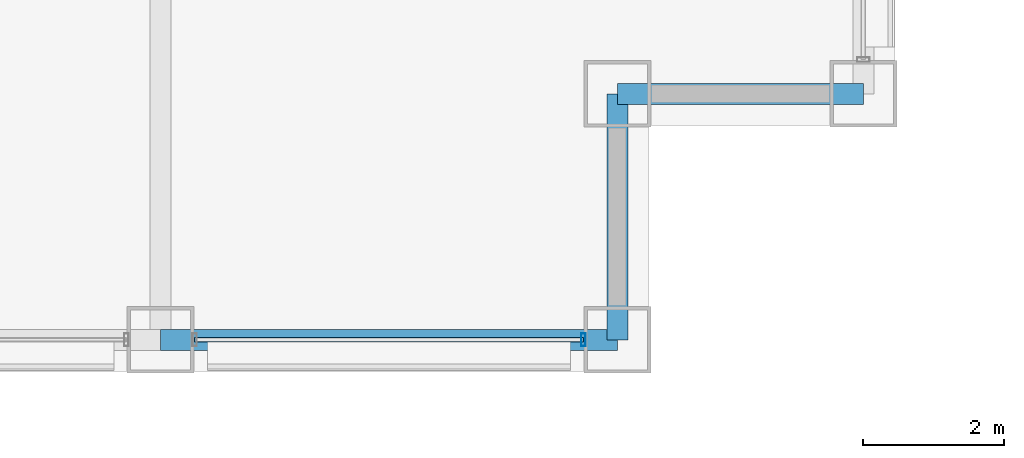
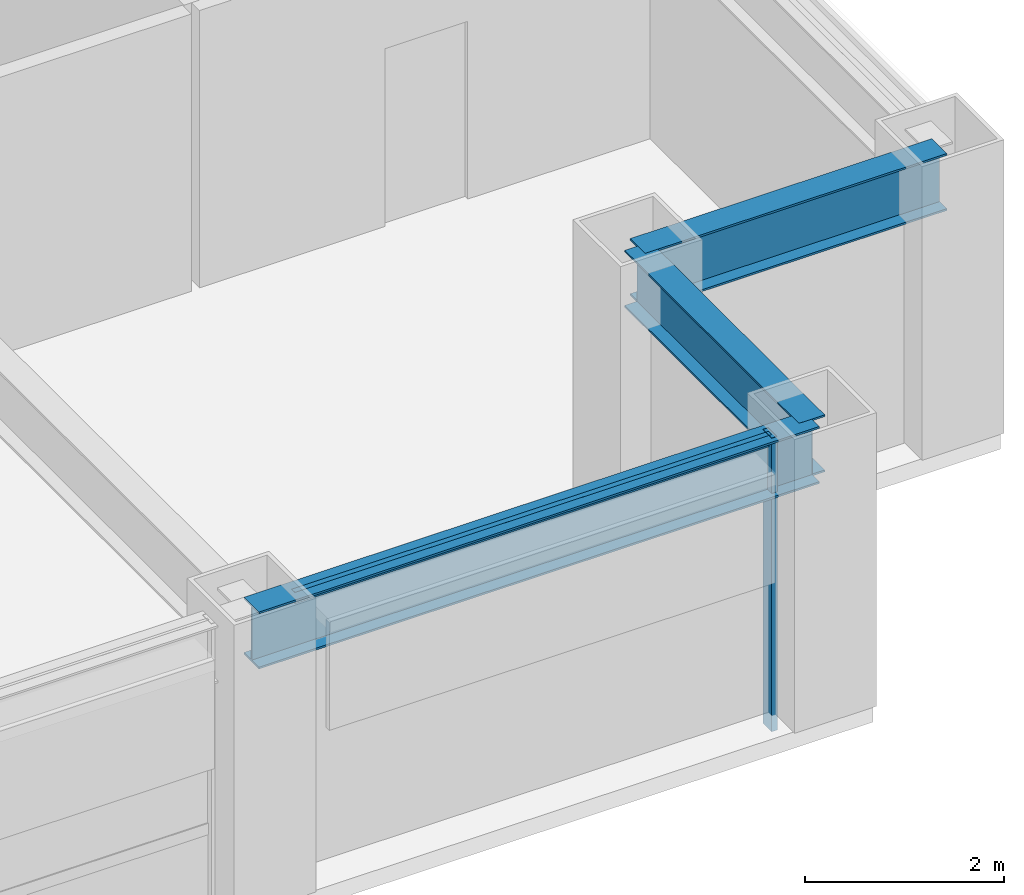
# One storey, part 10 of 28: 3 beams, 2 members, 1 element without a shape of its own.
"""IFC4 building model written with IfcOpenShell, lengths in metres."""

from ifc_helpers import new_model, si_unit, direction, frame, origin, origin_2d, place, context, subcontext, project, spatial, hollow_rectangle, i_section, extrude, material, layer, layer_set, material_profile, profile_set, type_object, element, aggregate, save


model = new_model("IFC4")

# Units and contexts
model_context = context("Model", 3, precision=1e-05, world=origin(), true_north=direction((0.0, 1.0)))
body_context = subcontext(model_context, "Body", "Model", "MODEL_VIEW")
ifc_project = project(units=[si_unit("LENGTHUNIT", "METRE"), si_unit("AREAUNIT", "SQUARE_METRE"), si_unit("VOLUMEUNIT", "CUBIC_METRE"), si_unit("PLANEANGLEUNIT", "RADIAN"), si_unit("MASSUNIT", "GRAM", prefix="KILO")], contexts=[model_context])

# Site, building, storey
site_placement = place(None, origin())
site = spatial("IfcSite", under=ifc_project, at=site_placement, CompositionType="ELEMENT")
building_placement = place(site_placement, origin())
building = spatial("IfcBuilding", under=site, at=building_placement, Name="Brelmoor Portico Tower", CompositionType="ELEMENT")
storey_placement = place(building_placement, frame((0.0, 0.0, 49.199951171875)))
storey = spatial("IfcBuildingStorey", under=building, at=storey_placement, Name="L12", CompositionType="ELEMENT", Elevation=49.199951171875)

# Beams
ifc_material_1 = material(Name="Steel Q355B", Category="steel")
ifc_material_profile_1 = material_profile(ifc_material_1, i_section(OverallWidth=0.300048828125, OverallDepth=0.699951171875, WebThickness=0.012939453125, FlangeThickness=0.02392578125, at=origin_2d()), Name="HN 700x300x13x24")
ifc_profile_set_1 = profile_set([ifc_material_profile_1], Name="Steel Q355B")
beam_type = type_object("IfcBeamType", Name="BM-SP-700", PredefinedType="SPANDREL", material=ifc_profile_set_1)
beam_placement = place(storey_placement, frame((14.550048828125, -21.550048828125, 3.050048828125), z_axis=(1.0, 0.0, 0.0), x_axis=(0.0, 1.0, 0.0)))
element("IfcBeam", 1, at=beam_placement, inside=storey, type_object=beam_type, Name="L12 Perimeter Spandrel Beam SP-05", PredefinedType="SPANDREL", context=body_context, shape_type="SweptSolid", body=[
    extrude(i_section(OverallWidth=0.300048828125, OverallDepth=0.699951171875, WebThickness=0.012939453125, FlangeThickness=0.02392578125, at=origin_2d()), origin(), (0.0, 0.0, 1.0), 6.5),
])
for number, where, z_axis, x_axis, name in (
    (2, (21.050048828125, -18.050048828125, 3.050048828125), (1.0, 0.0, 0.0), (0.0, 1.0, 0.0), "L12 Perimeter Spandrel Beam SP-07"),
    (3, (21.050048828125, -21.550048828125, 3.050048828125), (0.0, 1.0, 0.0), (-1.0, 0.0, 0.0), "L12 Perimeter Spandrel Beam SP-20"),
):
    element("IfcBeam", number, at=place(storey_placement, frame(where, z_axis=z_axis, x_axis=x_axis)), inside=storey, type_object=beam_type, Name=name, PredefinedType="SPANDREL", context=body_context, shape_type="SweptSolid", body=[
        extrude(i_section(OverallWidth=0.300048828125, OverallDepth=0.699951171875, WebThickness=0.012939453125, FlangeThickness=0.02392578125, at=origin_2d()), origin(), (0.0, 0.0, 1.0), 3.5),
    ])

# Curtain wall, members
ifc_material_2 = material(Name="Anodised Aluminium Alloy 6063-T6", Category="aluminium")
ifc_layer = layer(ifc_material_2, 0.179931640625)
ifc_layer_set = layer_set([ifc_layer], Name="Anodised Aluminium Alloy 6063-T6")
curtain_wall_type = type_object("IfcCurtainWallType", Name="CW-TOWER-Z1-XB", PredefinedType="NOTDEFINED", material=ifc_layer_set)
curtain_wall_placement = place(storey_placement, origin())
curtain_wall = element("IfcCurtainWall", 4, at=curtain_wall_placement, inside=storey, type_object=curtain_wall_type, Name="L12 Curtain Wall CW-L12-01-5", PredefinedType="NOTDEFINED")
ifc_material_profile_2 = material_profile(ifc_material_2, hollow_rectangle(XDim=0.06494140625, YDim=0.179931640625, WallThickness=0.00390625, at=origin_2d()), Name="ALU MULLION 65x180")
ifc_profile_set_2 = profile_set([ifc_material_profile_2], Name="Anodised Aluminium Alloy 6063-T6")
member_type_1 = type_object("IfcMemberType", Name="MB-CW-MULL-180", PredefinedType="MULLION", material=ifc_profile_set_2)
member_1_placement = place(storey_placement, frame((20.56494140625, -21.550048828125, -0.199951171875), z_axis=(0.0, 0.0, 1.0), x_axis=(1.0, 0.0, 0.0)))
member_1 = element("IfcMember", 5, at=member_1_placement, type_object=member_type_1, Name="CW-L12-01-5 Mullion 01", PredefinedType="MULLION", context=body_context, shape_type="SweptSolid", body=[
    extrude(hollow_rectangle(XDim=0.06494140625, YDim=0.179931640625, WallThickness=0.00390625, at=origin_2d()), origin(), (0.0, 0.0, 1.0), 3.60009765625),
])
ifc_material_profile_3 = material_profile(ifc_material_2, hollow_rectangle(XDim=0.06494140625, YDim=0.139892578125, WallThickness=0.00390625, at=origin_2d()), Name="ALU TRANSOM 65x140")
ifc_profile_set_3 = profile_set([ifc_material_profile_3], Name="Anodised Aluminium Alloy 6063-T6")
member_type_2 = type_object("IfcMemberType", Name="MB-CW-TRAN-140", PredefinedType="USERDEFINED", material=ifc_profile_set_3)
member_2_placement = place(storey_placement, frame((15.034912109375, -21.550048828125, 3.330078125), z_axis=(1.0, 0.0, 0.0), x_axis=(0.0, 1.0, 0.0)))
member_2 = element("IfcMember", 6, at=member_2_placement, type_object=member_type_2, Name="CW-L12-01-5 Transom 1-00", ObjectType="TRANSOM", PredefinedType="USERDEFINED", context=body_context, shape_type="SweptSolid", body=[
    extrude(hollow_rectangle(XDim=0.06494140625, YDim=0.139892578125, WallThickness=0.00390625, at=origin_2d()), origin(), (0.0, 0.0, 1.0), 5.530029296875),
])
aggregate(curtain_wall, [member_1, member_2])

save(model, "model.ifc")
